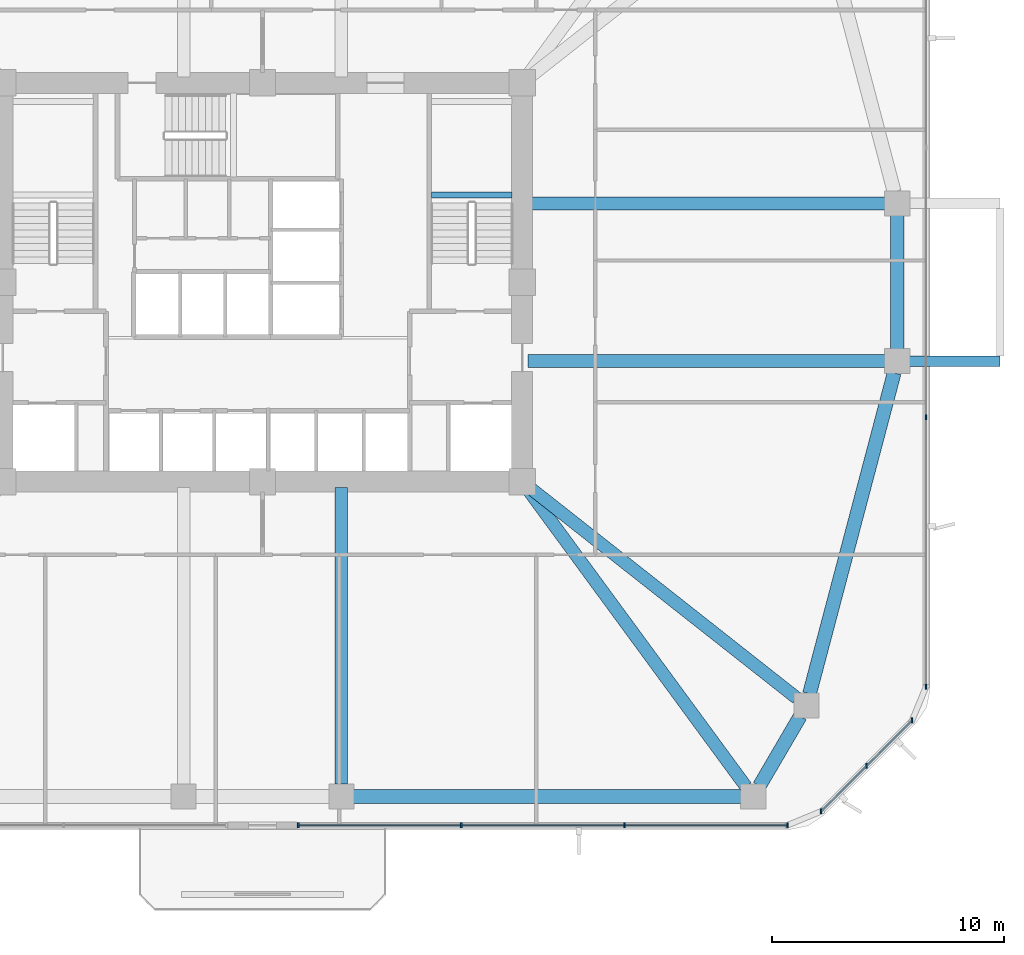
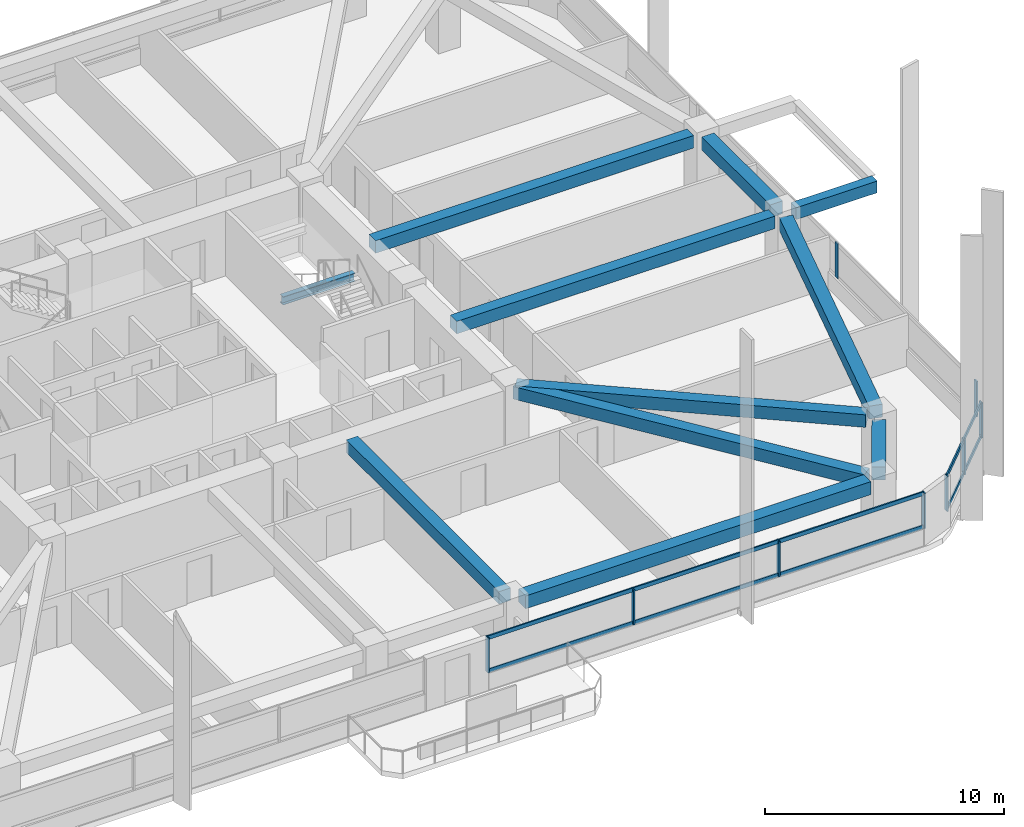
# One storey, part 4 of 17: 13 members, 11 beams, 3 elements without a shape of their own.
"""IFC4 building model written with IfcOpenShell, lengths in metres."""

from ifc_helpers import new_model, si_unit, derived_unit, direction, frame, origin, origin_2d, place, context, subcontext, project, spatial, rectangle, i_section, extrude, material, material_profile, profile_set, type_object, element, aggregate, save


model = new_model("IFC4")

# Units and contexts
model_context = context("Model", 3, precision=1e-05, world=origin(), true_north=direction((0.0, 1.0)))
body_context = subcontext(model_context, "Body", "Model", "MODEL_VIEW")
ifc_project = project(units=[si_unit("LENGTHUNIT", "METRE"), si_unit("AREAUNIT", "SQUARE_METRE"), si_unit("VOLUMEUNIT", "CUBIC_METRE"), si_unit("PLANEANGLEUNIT", "RADIAN"), si_unit("MASSUNIT", "GRAM", prefix="KILO"), derived_unit("THERMALTRANSMITTANCEUNIT", [(si_unit("POWERUNIT", "WATT"), 1), (si_unit("LENGTHUNIT", "METRE"), -2), (si_unit("THERMODYNAMICTEMPERATUREUNIT", "KELVIN"), -1)])], contexts=[model_context])

# Site, building, storey
site_placement = place(None, origin())
site = spatial("IfcSite", under=ifc_project, at=site_placement, CompositionType="ELEMENT")
building_placement = place(site_placement, origin())
building = spatial("IfcBuilding", under=site, at=building_placement, Name="Koralith Skygarden Medical Center", CompositionType="ELEMENT")
storey_placement = place(building_placement, frame((0.0, 0.0, 23.93994140625)))
storey = spatial("IfcBuildingStorey", under=building, at=storey_placement, Name="L05", CompositionType="ELEMENT", Elevation=23.93994140625)

# Curtain wall, members
ifc_material_1 = material(Name="Clear Laminated Glass", Category="glass")
curtain_wall_type = type_object("IfcCurtainWallType", Name="CW-2 Zone 1 Hurricane Unitised Curtain Wall", PredefinedType="NOTDEFINED", material=ifc_material_1)
curtain_wall_1_placement = place(storey_placement, origin())
curtain_wall_1 = element("IfcCurtainWall", 1, at=curtain_wall_1_placement, inside=storey, type_object=curtain_wall_type, Name="Curtain Wall CW-L05-S-R", PredefinedType="NOTDEFINED")
ifc_material_2 = material(Name="Aluminium 6063-T6", Category="aluminium")
ifc_material_profile_1 = material_profile(ifc_material_2, rectangle(XDim=0.071044921875, YDim=0.219970703125, at=origin_2d()), Name="MUL71X220")
ifc_profile_set_1 = profile_set([ifc_material_profile_1], Name="Aluminium 6063-T6")
member_type_1 = type_object("IfcMemberType", Name="CW-2 Extruded Mullion 71x220", PredefinedType="MULLION", material=ifc_profile_set_1)
member_1_placement = place(storey_placement, frame((38.5400390625, 2.47998046875, 0.85009765625), z_axis=(0.0, 0.0, 1.0), x_axis=(1.0, 0.0, 0.0)))
member_1 = element("IfcMember", 2, at=member_1_placement, type_object=member_type_1, Name="CW-L05-S-R Mullion 1", PredefinedType="MULLION", context=body_context, shape_type="SweptSolid", body=[
    extrude(rectangle(XDim=0.071044921875, YDim=0.219970703125, at=origin_2d()), origin(), (0.0, 0.0, 1.0), 1.800048828125),
])
member_2_placement = place(storey_placement, frame((45.574951171875, 2.47998046875, 0.85009765625), z_axis=(0.0, 0.0, 1.0), x_axis=(1.0, 0.0, 0.0)))
member_2 = element("IfcMember", 3, at=member_2_placement, type_object=member_type_1, Name="CW-L05-S-R Mullion 2", PredefinedType="MULLION", context=body_context, shape_type="SweptSolid", body=[
    extrude(rectangle(XDim=0.071044921875, YDim=0.219970703125, at=origin_2d()), origin(), (0.0, 0.0, 1.0), 1.800048828125),
])
member_3_placement = place(storey_placement, frame((52.610107421875, 2.47998046875, 0.85009765625), z_axis=(0.0, 0.0, 1.0), x_axis=(1.0, 0.0, 0.0)))
member_3 = element("IfcMember", 4, at=member_3_placement, type_object=member_type_1, Name="CW-L05-S-R Mullion 3", PredefinedType="MULLION", context=body_context, shape_type="SweptSolid", body=[
    extrude(rectangle(XDim=0.071044921875, YDim=0.219970703125, at=origin_2d()), origin(), (0.0, 0.0, 1.0), 1.800048828125),
])
member_4_placement = place(storey_placement, frame((59.64501953125, 2.47998046875, 0.85009765625), z_axis=(0.0, 0.0, 1.0), x_axis=(1.0, 0.0, 0.0)))
member_4 = element("IfcMember", 5, at=member_4_placement, type_object=member_type_1, Name="CW-L05-S-R Mullion 4", PredefinedType="MULLION", context=body_context, shape_type="SweptSolid", body=[
    extrude(rectangle(XDim=0.071044921875, YDim=0.219970703125, at=origin_2d()), origin(), (0.0, 0.0, 1.0), 1.800048828125),
])

curtain_wall_2_placement = place(storey_placement, origin())
curtain_wall_2 = element("IfcCurtainWall", 6, at=curtain_wall_2_placement, inside=storey, type_object=curtain_wall_type, Name="Curtain Wall CW-L05-SE", PredefinedType="NOTDEFINED")
member_5_placement = place(storey_placement, frame((61.095947265625, 3.0810546875, 0.85009765625), z_axis=(0.0, 0.0, 1.0), x_axis=(1.0, 0.0, 0.0)))
member_5 = element("IfcMember", 7, at=member_5_placement, type_object=member_type_1, Name="CW-L05-SE Mullion 1", PredefinedType="MULLION", context=body_context, shape_type="SweptSolid", body=[
    extrude(rectangle(XDim=0.071044921875, YDim=0.219970703125, at=origin_2d()), origin(), (0.0, 0.0, 1.0), 1.800048828125),
])
member_6_placement = place(storey_placement, frame((63.056884765625, 5.0419921875, 0.85009765625), z_axis=(0.0, 0.0, 1.0), x_axis=(1.0, 0.0, 0.0)))
member_6 = element("IfcMember", 8, at=member_6_placement, type_object=member_type_1, Name="CW-L05-SE Mullion 2", PredefinedType="MULLION", context=body_context, shape_type="SweptSolid", body=[
    extrude(rectangle(XDim=0.071044921875, YDim=0.219970703125, at=origin_2d()), origin(), (0.0, 0.0, 1.0), 1.800048828125),
])
member_7_placement = place(storey_placement, frame((65.01904296875, 7.00390625, 0.85009765625), z_axis=(0.0, 0.0, 1.0), x_axis=(1.0, 0.0, 0.0)))
member_7 = element("IfcMember", 9, at=member_7_placement, type_object=member_type_1, Name="CW-L05-SE Mullion 3", PredefinedType="MULLION", context=body_context, shape_type="SweptSolid", body=[
    extrude(rectangle(XDim=0.071044921875, YDim=0.219970703125, at=origin_2d()), origin(), (0.0, 0.0, 1.0), 1.800048828125),
])

curtain_wall_3_placement = place(storey_placement, origin())
curtain_wall_3 = element("IfcCurtainWall", 10, at=curtain_wall_3_placement, inside=storey, type_object=curtain_wall_type, Name="Curtain Wall CW-L05-E", PredefinedType="NOTDEFINED")
member_8_placement = place(storey_placement, frame((65.6201171875, 8.455078125, 0.85009765625), z_axis=(0.0, 0.0, 1.0), x_axis=(1.0, 0.0, 0.0)))
member_8 = element("IfcMember", 11, at=member_8_placement, type_object=member_type_1, Name="CW-L05-E Mullion 1", PredefinedType="MULLION", context=body_context, shape_type="SweptSolid", body=[
    extrude(rectangle(XDim=0.071044921875, YDim=0.219970703125, at=origin_2d()), origin(), (0.0, 0.0, 1.0), 1.800048828125),
])
member_9_placement = place(storey_placement, frame((65.6201171875, 20.0849609375, 0.85009765625), z_axis=(0.0, 0.0, 1.0), x_axis=(1.0, 0.0, 0.0)))
member_9 = element("IfcMember", 12, at=member_9_placement, type_object=member_type_1, Name="CW-L05-E Mullion 2", PredefinedType="MULLION", context=body_context, shape_type="SweptSolid", body=[
    extrude(rectangle(XDim=0.071044921875, YDim=0.219970703125, at=origin_2d()), origin(), (0.0, 0.0, 1.0), 1.800048828125),
])
aggregate(curtain_wall_3, [member_8, member_9])

# Member
ifc_material_profile_2 = material_profile(ifc_material_2, rectangle(XDim=0.06591796875, YDim=0.197998046875, at=origin_2d()), Name="TRN66X198")
ifc_profile_set_2 = profile_set([ifc_material_profile_2], Name="Aluminium 6063-T6")
member_type_2 = type_object("IfcMemberType", Name="CW-2 Thermal Transom 66x198", PredefinedType="USERDEFINED", material=ifc_profile_set_2)
member_10_placement = place(storey_placement, frame((38.5400390625, 2.47998046875, 0.900146484375), z_axis=(1.0, 0.0, 0.0), x_axis=(0.0, 1.0, 0.0)))
member_10 = element("IfcMember", 13, at=member_10_placement, type_object=member_type_2, Name="CW-L05-S-R Transom 1", ObjectType="TRANSOM", PredefinedType="USERDEFINED", context=body_context, shape_type="SweptSolid", body=[
    extrude(rectangle(XDim=0.06591796875, YDim=0.197998046875, at=origin_2d()), origin(), (0.0, 0.0, 1.0), 21.10498046875),
])

member_11_placement = place(storey_placement, frame((38.5400390625, 2.47998046875, 2.60009765625), z_axis=(1.0, 0.0, 0.0), x_axis=(0.0, 1.0, 0.0)))
member_11 = element("IfcMember", 14, at=member_11_placement, type_object=member_type_2, Name="CW-L05-S-R Transom 2", ObjectType="TRANSOM", PredefinedType="USERDEFINED", context=body_context, shape_type="SweptSolid", body=[
    extrude(rectangle(XDim=0.06591796875, YDim=0.197998046875, at=origin_2d()), origin(), (0.0, 0.0, 1.0), 21.10498046875),
])

aggregate(curtain_wall_1, [member_1, member_2, member_3, member_4, member_10, member_11])

member_12_placement = place(storey_placement, frame((61.095947265625, 3.0810546875, 0.900146484375), z_axis=(0.707128783731, 0.707084777957, 0.0), x_axis=(-0.707084777957, 0.707128783731, 0.0)))
member_12 = element("IfcMember", 15, at=member_12_placement, type_object=member_type_2, Name="CW-L05-SE Transom 1", ObjectType="TRANSOM", PredefinedType="USERDEFINED", context=body_context, shape_type="SweptSolid", body=[
    extrude(rectangle(XDim=0.06591796875, YDim=0.197998046875, at=origin_2d()), origin(), (0.0, 0.0, 1.0), 5.5478515625),
])

member_13_placement = place(storey_placement, frame((61.095947265625, 3.0810546875, 2.60009765625), z_axis=(0.707128783731, 0.707084777957, 0.0), x_axis=(-0.707084777957, 0.707128783731, 0.0)))
member_13 = element("IfcMember", 16, at=member_13_placement, type_object=member_type_2, Name="CW-L05-SE Transom 2", ObjectType="TRANSOM", PredefinedType="USERDEFINED", context=body_context, shape_type="SweptSolid", body=[
    extrude(rectangle(XDim=0.06591796875, YDim=0.197998046875, at=origin_2d()), origin(), (0.0, 0.0, 1.0), 5.5478515625),
])

aggregate(curtain_wall_2, [member_5, member_6, member_7, member_12, member_13])

# Beams
ifc_material_3 = material(Name="Steel ASTM A992 Grade 50", Category="steel")
ifc_material_profile_3 = material_profile(ifc_material_3, i_section(OverallWidth=0.260009765625, OverallDepth=0.4150390625, WebThickness=0.010009765625, FlangeThickness=0.016845703125, at=origin_2d()), Name="W16X67")
ifc_profile_set_3 = profile_set([ifc_material_profile_3], Name="Steel ASTM A992 Grade 50")
beam_type_1 = type_object("IfcBeamType", Name="Clinical Floor Joist W16X67", PredefinedType="JOIST", material=ifc_profile_set_3)
beam_1_placement = place(storey_placement, frame((44.280029296875, 29.659912109375, 1.39208984375), z_axis=(1.0, 0.0, 0.0), x_axis=(0.0, 1.0, 0.0)))
element("IfcBeam", 17, at=beam_1_placement, inside=storey, type_object=beam_type_1, Name="L05 Stair ST2 Half-Landing Support Beam 1A", PredefinedType="JOIST", context=body_context, shape_type="SweptSolid", body=[
    extrude(i_section(OverallWidth=0.260009765625, OverallDepth=0.4150390625, WebThickness=0.010009765625, FlangeThickness=0.016845703125, at=origin_2d()), origin(), (0.0, 0.0, 1.0), 3.489990234375),
])
ifc_material_4 = material(Name="Concrete C45/55", Category="concrete")
ifc_material_profile_4 = material_profile(ifc_material_4, rectangle(XDim=0.449951171875, YDim=0.60009765625, at=origin_2d()), Name="RCB450X600")
ifc_profile_set_4 = profile_set([ifc_material_profile_4], Name="Concrete C45/55")
beam_type_2 = type_object("IfcBeamType", Name="Planted Balcony Cantilever Beam RCB450X600", PredefinedType="BEAM", material=ifc_profile_set_4)
beam_2_placement = place(storey_placement, frame((64.89990234375, 22.5, 3.0400390625), z_axis=(1.0, 0.0, 0.0), x_axis=(0.0, 1.0, 0.0)))
element("IfcBeam", 18, at=beam_2_placement, inside=storey, type_object=beam_type_2, Name="L06 E Balcony Cantilever Beam A", PredefinedType="BEAM", context=body_context, shape_type="SweptSolid", body=[
    extrude(rectangle(XDim=0.449951171875, YDim=0.60009765625, at=origin_2d()), origin(), (0.0, 0.0, 1.0), 3.920166015625),
])
ifc_material_profile_5 = material_profile(ifc_material_4, rectangle(XDim=0.550048828125, YDim=0.639892578125, at=origin_2d()), Name="RCB550X640")
ifc_profile_set_5 = profile_set([ifc_material_profile_5], Name="Concrete C45/55")
beam_type_3 = type_object("IfcBeamType", Name="Radial Collector Beam RCB550X640", PredefinedType="BEAM", material=ifc_profile_set_5)
beam_3_placement = place(storey_placement, frame((40.39990234375, 17.050048828125, 3.0), z_axis=(0.0, -1.0, 0.0), x_axis=(1.0, 0.0, 0.0)))
element("IfcBeam", 19, at=beam_3_placement, inside=storey, type_object=beam_type_3, Name="L05 Radial Collector Beam RB-05", PredefinedType="BEAM", context=body_context, shape_type="SweptSolid", body=[
    extrude(rectangle(XDim=0.550048828125, YDim=0.639892578125, at=origin_2d()), origin(), (0.0, 0.0, 1.0), 12.800048828125),
])
beam_4_placement = place(storey_placement, frame((48.347900390625, 17.097900390625, 3.0), z_axis=(0.591718052249, -0.806144991079, 0.0), x_axis=(0.806144991079, 0.591718052249, 0.0)))
element("IfcBeam", 20, at=beam_4_placement, inside=storey, type_object=beam_type_3, Name="L05 Radial Collector Beam RB-06", PredefinedType="BEAM", context=body_context, shape_type="SweptSolid", body=[
    extrude(rectangle(XDim=0.550048828125, YDim=0.639892578125, at=origin_2d()), origin(), (0.0, 0.0, 1.0), 16.065185546875),
])
beam_5_placement = place(storey_placement, frame((48.39599609375, 17.14501953125, 3.0), z_axis=(0.785497250365, -0.618865146594, 0.0), x_axis=(0.618865146594, 0.785497250365, 0.0)))
element("IfcBeam", 21, at=beam_5_placement, inside=storey, type_object=beam_type_3, Name="L05 Radial Collector Beam RB-07", PredefinedType="BEAM", context=body_context, shape_type="SweptSolid", body=[
    extrude(rectangle(XDim=0.550048828125, YDim=0.639892578125, at=origin_2d()), origin(), (0.0, 0.0, 1.0), 14.828857421875),
])
for number, where, z_axis, x_axis, name in (
    (22, (48.449951171875, 22.5, 3.0), (1.0, 0.0, 0.0), (0.0, 1.0, 0.0), "L05 Radial Collector Beam RB-08"),
    (23, (48.449951171875, 29.300048828125, 3.0), (1.0, 0.0, 0.0), (0.0, 1.0, 0.0), "L05 Radial Collector Beam RB-09"),
):
    element("IfcBeam", number, at=place(storey_placement, frame(where, z_axis=z_axis, x_axis=x_axis)), inside=storey, type_object=beam_type_3, Name=name, PredefinedType="BEAM", context=body_context, shape_type="SweptSolid", body=[
        extrude(rectangle(XDim=0.550048828125, YDim=0.639892578125, at=origin_2d()), origin(), (0.0, 0.0, 1.0), 15.400146484375),
    ])
ifc_material_profile_6 = material_profile(ifc_material_4, rectangle(XDim=0.60009765625, YDim=0.659912109375, at=origin_2d()), Name="RCB600X660")
ifc_profile_set_6 = profile_set([ifc_material_profile_6], Name="Concrete C45/55")
beam_type_4 = type_object("IfcBeamType", Name="Zone 1 Spandrel Beam RCB600X660", PredefinedType="SPANDREL", material=ifc_profile_set_6)
beam_6_placement = place(storey_placement, frame((40.929931640625, 3.719970703125, 2.989990234375), z_axis=(1.0, 0.0, 0.0), x_axis=(0.0, 1.0, 0.0)))
element("IfcBeam", 24, at=beam_6_placement, inside=storey, type_object=beam_type_4, Name="L05 Perimeter Spandrel Beam SP-05", PredefinedType="SPANDREL", context=body_context, shape_type="SweptSolid", body=[
    extrude(rectangle(XDim=0.60009765625, YDim=0.659912109375, at=origin_2d()), origin(), (0.0, 0.0, 1.0), 16.7080078125),
])
beam_7_placement = place(storey_placement, frame((58.43603515625, 4.177978515625, 2.989990234375), z_axis=(0.504638660636, 0.863330656349, 0.0), x_axis=(-0.863330656349, 0.504638660636, 0.0)))
element("IfcBeam", 25, at=beam_7_placement, inside=storey, type_object=beam_type_4, Name="L05 Perimeter Spandrel Beam SP-06", PredefinedType="SPANDREL", context=body_context, shape_type="SweptSolid", body=[
    extrude(rectangle(XDim=0.60009765625, YDim=0.659912109375, at=origin_2d()), origin(), (0.0, 0.0, 1.0), 3.4794921875),
])
beam_8_placement = place(storey_placement, frame((60.594970703125, 8.152099609375, 2.989990234375), z_axis=(0.255088684842, 0.966917660851, 0.0), x_axis=(-0.966917660851, 0.255088684842, 0.0)))
element("IfcBeam", 26, at=beam_8_placement, inside=storey, type_object=beam_type_4, Name="L05 Perimeter Spandrel Beam SP-07", PredefinedType="SPANDREL", context=body_context, shape_type="SweptSolid", body=[
    extrude(rectangle(XDim=0.60009765625, YDim=0.659912109375, at=origin_2d()), origin(), (0.0, 0.0, 1.0), 14.309326171875),
])
beam_9_placement = place(storey_placement, frame((64.3798828125, 23.030029296875, 2.989990234375), z_axis=(0.0, 1.0, 0.0), x_axis=(-1.0, 0.0, 0.0)))
element("IfcBeam", 27, at=beam_9_placement, inside=storey, type_object=beam_type_4, Name="L05 Perimeter Spandrel Beam SP-08", PredefinedType="SPANDREL", context=body_context, shape_type="SweptSolid", body=[
    extrude(rectangle(XDim=0.60009765625, YDim=0.659912109375, at=origin_2d()), origin(), (0.0, 0.0, 1.0), 5.739990234375),
])

save(model, "model.ifc")
